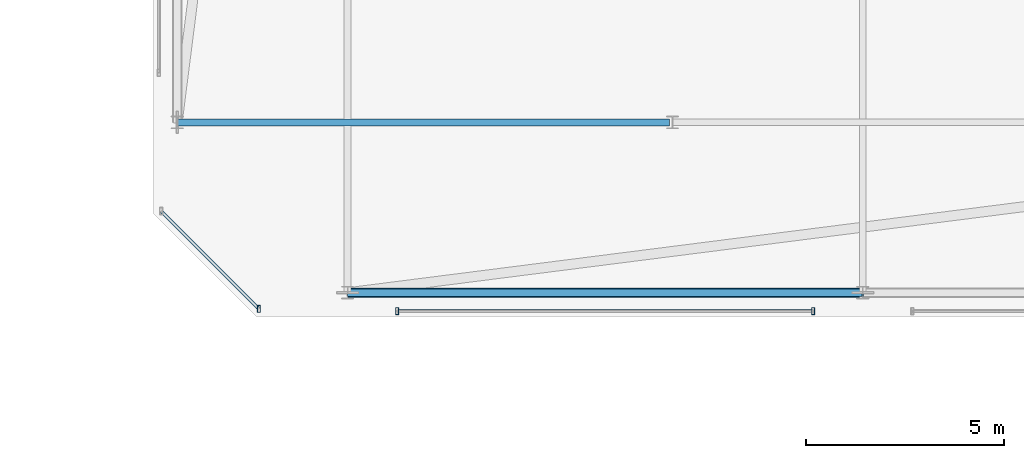
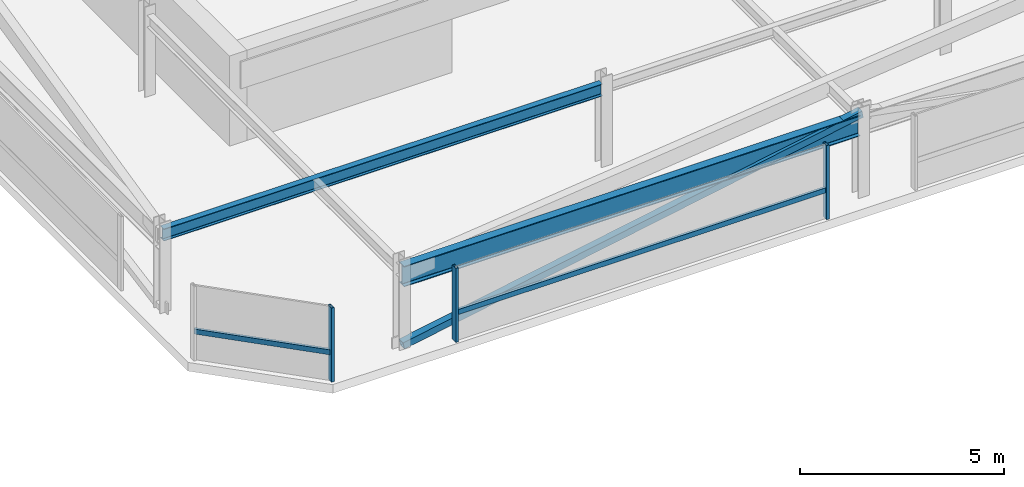
# One storey, part 29 of 44: 6 members, 2 beams, 2 elements without a shape of their own.
"""IFC4 building model written with IfcOpenShell, lengths in metres."""

import ifcopenshell
import ifcopenshell.guid

model = None  # the IFC model being written
_history = None  # IfcOwnerHistory: only IFC2X3 demands one
_inside = {}  # id of a spatial element -> (the spatial element, [elements in it])
_under = {}  # id of a project, library or spatial element -> (it, [spatial elements below it])
_declared = {}  # id of a project -> (the project, [libraries it declares])
_typed = {}  # id of a type object -> (the type object, [elements of that type])
_made_of = {}  # id of a material, layer set ... -> (it, [elements and type objects made of it])


def new_model(schema):
    """Start an empty IFC model of exactly this schema.

    Asked for "IFC4X3", IfcOpenShell would pick the latest addendum, in which some entities
    have other attributes; the version numbers below select the first issue.
    IFC2X3 requires an IfcOwnerHistory on every rooted entity: one is made here for all.
    """
    global model, _history
    if schema == "IFC4X3":
        model = ifcopenshell.file(schema_version=(4, 3, 0, 0))
    else:
        model = ifcopenshell.file(schema=schema)
    _inside.clear()
    _under.clear()
    _declared.clear()
    _typed.clear()
    _made_of.clear()
    _history = None
    if model.schema == "IFC2X3":
        org = make("IfcOrganization", Name="unknown")
        user = make(
            "IfcPersonAndOrganization",
            ThePerson=make("IfcPerson", FamilyName="unknown"),
            TheOrganization=org,
        )
        app = make(
            "IfcApplication",
            ApplicationDeveloper=org,
            Version="unknown",
            ApplicationFullName="unknown",
            ApplicationIdentifier="unknown",
        )
        _history = make(
            "IfcOwnerHistory",
            OwningUser=user,
            OwningApplication=app,
            ChangeAction="ADDED",
            CreationDate=0,
        )
    return model


def make(cls, **values):
    """One entity of the class cls with the attributes given. An attribute that is None is left unset."""
    return model.create_entity(
        cls, **{name: value for name, value in values.items() if value is not None}
    )


def rooted(cls, **values):
    """An entity with a GlobalId (a new one), such as an element, a storey or a relation."""
    return make(cls, GlobalId=ifcopenshell.guid.new(), OwnerHistory=_history, **values)


def si_unit(unit_type, name, prefix=None):
    """IfcSIUnit, for example si_unit("LENGTHUNIT", "METRE", prefix="MILLI")."""
    return make("IfcSIUnit", UnitType=unit_type, Prefix=prefix, Name=name)


def assignment(units):
    """IfcUnitAssignment: the units of a project."""
    return None if units is None else make("IfcUnitAssignment", Units=units)


def point(xyz):
    """IfcCartesianPoint."""
    return None if xyz is None else make("IfcCartesianPoint", Coordinates=xyz)


def direction(xyz):
    """IfcDirection."""
    return None if xyz is None else make("IfcDirection", DirectionRatios=xyz)


def frame(location, z_axis=None, x_axis=None):
    """IfcAxis2Placement3D, a coordinate frame: its origin and axes. An axis left out is left unset."""
    return make(
        "IfcAxis2Placement3D",
        Location=point(location),
        Axis=direction(z_axis),
        RefDirection=direction(x_axis),
    )


def frame_2d(location, x_axis=None):
    """IfcAxis2Placement2D, a coordinate frame in the plane: its origin and x axis."""
    return make(
        "IfcAxis2Placement2D", Location=point(location), RefDirection=direction(x_axis)
    )


def origin():
    """The frame at (0, 0, 0) with its axes left unset."""
    return frame((0.0, 0.0, 0.0))


def origin_2d():
    """The frame at (0, 0) in the plane with its x axis left unset."""
    return frame_2d((0.0, 0.0))


def place(relative_to, where):
    """IfcLocalPlacement: puts the frame where relative to a parent placement (None: the world)."""
    return make(
        "IfcLocalPlacement", PlacementRelTo=relative_to, RelativePlacement=where
    )


def context(
    kind, dimensions, precision=None, world=None, true_north=None, identifier=None
):
    """IfcGeometricRepresentationContext, for example the 3D "Model" context."""
    return make(
        "IfcGeometricRepresentationContext",
        ContextIdentifier=identifier,
        ContextType=kind,
        CoordinateSpaceDimension=dimensions,
        Precision=precision,
        WorldCoordinateSystem=world,
        TrueNorth=true_north,
    )


def subcontext(parent, identifier, kind, view, scale=None):
    """IfcGeometricRepresentationSubContext, for example "Body" below "Model"."""
    return make(
        "IfcGeometricRepresentationSubContext",
        ContextIdentifier=identifier,
        ContextType=kind,
        ParentContext=parent,
        TargetScale=scale,
        TargetView=view,
    )


def project(units=None, contexts=None):
    """IfcProject with its units and contexts."""
    return rooted(
        "IfcProject",
        Name="project",
        RepresentationContexts=contexts,
        UnitsInContext=assignment(units),
    )


def spatial(cls, under=None, at=None, **own):
    """A site, building, storey or space (cls), placed at a placement, below another one or the project."""
    s = rooted(cls, ObjectPlacement=at, **own)
    if under is not None:
        _under.setdefault(under.id(), (under, []))[1].append(s)
    return s


def profile(cls, at=None, kind="AREA", **sizes):
    """A parametric profile (cls). Its sizes go by their IFC names, for example OverallWidth=200.0."""
    return make(cls, ProfileType=kind, Position=at, **sizes)


def hollow_rectangle(**sizes):
    """IfcRectangleHollowProfileDef."""
    return profile("IfcRectangleHollowProfileDef", **sizes)


def i_section(**sizes):
    """IfcIShapeProfileDef."""
    return profile("IfcIShapeProfileDef", **sizes)


def extrude(swept, where, along, depth):
    """IfcExtrudedAreaSolid: the profile swept, set in the frame where, extruded along a direction by depth."""
    return make(
        "IfcExtrudedAreaSolid",
        SweptArea=swept,
        Position=where,
        ExtrudedDirection=direction(along),
        Depth=depth,
    )


def shape(context_of_items, identifier, shape_type, items):
    """IfcShapeRepresentation: the items that make up one representation, for example the "Body"."""
    return make(
        "IfcShapeRepresentation",
        ContextOfItems=context_of_items,
        RepresentationIdentifier=identifier,
        RepresentationType=shape_type,
        Items=items,
    )


def material(Name=None, Category=None):
    """IfcMaterial."""
    return make("IfcMaterial", Name=Name, Category=Category)


def material_profile(
    of_material, cross_section, Name=None, Category=None, Priority=None
):
    """IfcMaterialProfile: a cross section and its material."""
    return make(
        "IfcMaterialProfile",
        Name=Name,
        Material=of_material,
        Profile=cross_section,
        Priority=Priority,
        Category=Category,
    )


def profile_set(profiles, Name=None, composite=None):
    """IfcMaterialProfileSet."""
    return make(
        "IfcMaterialProfileSet",
        Name=Name,
        MaterialProfiles=profiles,
        CompositeProfile=composite,
    )


def made_of(thing, what):
    """Note that an element or type object is made of a material, layer set ...; save() writes the relation."""
    if what is not None:
        _made_of.setdefault(what.id(), (what, []))[1].append(thing)
    return thing


def type_object(cls, material=None, **own):
    """A type object (cls), such as IfcWallType, which elements share."""
    return made_of(rooted(cls, **own), material)


def element(
    cls,
    number,
    at=None,
    inside=None,
    cuts=None,
    type_object=None,
    material=None,
    context=None,
    identifier="Body",
    shape_type=None,
    held_by="IfcProductDefinitionShape",
    body=None,
    shapes=None,
    **own,
):
    """One element of the class cls, such as IfcWall. Its Tag is "e" and its number.

    at: its placement. inside: the storey or other place that contains it. cuts: it is an
    opening in that element (IfcRelVoidsElement). A single representation is given by context,
    identifier, shape_type and body (its items); several are given by shapes. held_by: the class
    of the entity that holds the representations. save() writes the other relations.
    """
    e = rooted(cls, Tag="e%d" % number, ObjectPlacement=at, **own)
    if body is not None:
        shapes = [shape(context, identifier, shape_type, body)]
    if shapes is not None:
        e.Representation = make(held_by, Representations=shapes)
    if inside is not None:
        _inside.setdefault(inside.id(), (inside, []))[1].append(e)
    if cuts is not None:
        rooted(
            "IfcRelVoidsElement", RelatingBuildingElement=cuts, RelatedOpeningElement=e
        )
    if type_object is not None:
        _typed.setdefault(type_object.id(), (type_object, []))[1].append(e)
    return made_of(e, material)


def aggregate(whole, parts):
    """IfcRelAggregates: a whole, such as a stair, and the parts it consists of."""
    return rooted("IfcRelAggregates", RelatingObject=whole, RelatedObjects=parts)


def save(model, path):
    """Write the relations noted so far, then the file.

    IfcRelAggregates (storeys below a building ...), IfcRelContainedInSpatialStructure (elements
    in a storey), IfcRelDefinesByType, IfcRelAssociatesMaterial and IfcRelDeclares: one each for
    every whole, place, type object, material and project.
    """
    for whole, parts in _under.values():
        aggregate(whole, parts)
    for where, things in _inside.values():
        rooted(
            "IfcRelContainedInSpatialStructure",
            RelatedElements=things,
            RelatingStructure=where,
        )
    for kind, things in _typed.values():
        rooted("IfcRelDefinesByType", RelatedObjects=things, RelatingType=kind)
    for what, things in _made_of.values():
        rooted("IfcRelAssociatesMaterial", RelatedObjects=things, RelatingMaterial=what)
    for by, libraries in _declared.values():
        rooted("IfcRelDeclares", RelatingContext=by, RelatedDefinitions=libraries)
    model.write(path)


model = new_model("IFC4")

# Units and contexts
model_context = context("Model", 3, precision=1e-05, world=origin(), true_north=direction((0.0, 1.0)))
body_context = subcontext(model_context, "Body", "Model", "MODEL_VIEW")
ifc_project = project(units=[si_unit("LENGTHUNIT", "METRE"), si_unit("AREAUNIT", "SQUARE_METRE"), si_unit("VOLUMEUNIT", "CUBIC_METRE"), si_unit("PLANEANGLEUNIT", "RADIAN"), si_unit("MASSUNIT", "GRAM", prefix="KILO")], contexts=[model_context])

# Site, building, storey
site_placement = place(None, origin())
site = spatial("IfcSite", under=ifc_project, at=site_placement, CompositionType="ELEMENT")
building_placement = place(site_placement, origin())
building = spatial("IfcBuilding", under=site, at=building_placement, Name="Thornwick Lancets Civic Towers", CompositionType="ELEMENT")
storey_placement = place(building_placement, frame((0.0, 0.0, 292.199951171875)))
storey = spatial("IfcBuildingStorey", under=building, at=storey_placement, Name="C05", CompositionType="ELEMENT", Elevation=292.199951171875)

# Beams
ifc_material_1 = material(Name="Steel S355JR", Category="steel")
ifc_material_profile_1 = material_profile(ifc_material_1, i_section(OverallWidth=0.230224609375, OverallDepth=0.6171875, WebThickness=0.01318359375, FlangeThickness=0.022216796875, FilletRadius=0.0126953125, at=origin_2d()), Name="UKB 610x229x140")
ifc_profile_set_1 = profile_set([ifc_material_profile_1], Name="Steel S355JR")
beam_type_1 = type_object("IfcBeamType", Name="BM_GIRD_610_140", PredefinedType="BEAM", material=ifc_profile_set_1)
beam_1_placement = place(storey_placement, frame((88.419921875, 9.699951171875, 2.13134765625), z_axis=(-1.0, 0.0, 0.0), x_axis=(0.0, -1.0, 0.0)))
element("IfcBeam", 1, at=beam_1_placement, inside=storey, type_object=beam_type_1, Name="BM-SPINE-C05-B-10-11", PredefinedType="BEAM", context=body_context, shape_type="SweptSolid", body=[
    extrude(i_section(OverallWidth=0.230224609375, OverallDepth=0.6171875, WebThickness=0.01318359375, FlangeThickness=0.022216796875, FilletRadius=0.0126953125, at=origin_2d()), origin(), (0.0, 0.0, 1.0), 12.919921875),
])
ifc_material_profile_2 = material_profile(ifc_material_1, i_section(OverallWidth=0.173095703125, OverallDepth=0.36328125, WebThickness=0.009033203125, FlangeThickness=0.015625, FilletRadius=0.01025390625, at=origin_2d()), Name="UKB 356x171x67")
ifc_profile_set_2 = profile_set([ifc_material_profile_2], Name="Steel S355JR")
beam_type_2 = type_object("IfcBeamType", Name="BM_JOIST_356_67", PredefinedType="JOIST", material=ifc_profile_set_2)
beam_2_placement = place(storey_placement, frame((83.6201171875, 14.0, 2.25830078125), z_axis=(-1.0, 0.0, 0.0), x_axis=(0.0, -1.0, 0.0)))
element("IfcBeam", 2, at=beam_2_placement, inside=storey, type_object=beam_type_2, Name="BM-RADIN-C05-B07", PredefinedType="JOIST", context=body_context, shape_type="SweptSolid", body=[
    extrude(i_section(OverallWidth=0.173095703125, OverallDepth=0.36328125, WebThickness=0.009033203125, FlangeThickness=0.015625, FilletRadius=0.01025390625, at=origin_2d()), origin(), (0.0, 0.0, 1.0), 12.420166015625),
])

# Curtain wall, members
ifc_material_2 = material(Name="Crown ring acoustic-louvre and glazing screen wall", Category="glass")
curtain_wall_type = type_object("IfcCurtainWallType", Name="CW_SYS_07", PredefinedType="NOTDEFINED", material=ifc_material_2)
curtain_wall_1_placement = place(storey_placement, origin())
curtain_wall_1 = element("IfcCurtainWall", 3, at=curtain_wall_1_placement, inside=storey, type_object=curtain_wall_type, Name="C05 Curtain Wall CW-C05-B-E0-S1", PredefinedType="NOTDEFINED")
ifc_material_3 = material(Name="Thermally broken bronze aluminium S355", Category="steel")
ifc_material_profile_3 = material_profile(ifc_material_3, hollow_rectangle(XDim=0.074951171875, YDim=0.179931640625, WallThickness=0.006103515625, at=origin_2d()), Name="RHS 180x75x6")
ifc_profile_set_3 = profile_set([ifc_material_profile_3], Name="Thermally broken bronze aluminium S355")
member_type_1 = type_object("IfcMemberType", Name="CW_MUL_180", PredefinedType="MULLION", material=ifc_profile_set_3)
member_1_placement = place(storey_placement, frame((76.75, 9.2353515625, 0.0), z_axis=(0.0, 0.0, 1.0), x_axis=(1.0, 0.0, 0.0)))
member_1 = element("IfcMember", 4, at=member_1_placement, type_object=member_type_1, Name="CW-C05-B-E0-S1 Mullion 0", PredefinedType="MULLION", context=body_context, shape_type="SweptSolid", body=[
    extrude(hollow_rectangle(XDim=0.074951171875, YDim=0.179931640625, WallThickness=0.006103515625, at=origin_2d()), origin(), (0.0, 0.0, 1.0), 2.219970703125),
])
member_2_placement = place(storey_placement, frame((87.25, 9.2353515625, 0.0), z_axis=(0.0, 0.0, 1.0), x_axis=(1.0, 0.0, 0.0)))
member_2 = element("IfcMember", 5, at=member_2_placement, type_object=member_type_1, Name="CW-C05-B-E0-S1 Mullion 1", PredefinedType="MULLION", context=body_context, shape_type="SweptSolid", body=[
    extrude(hollow_rectangle(XDim=0.074951171875, YDim=0.179931640625, WallThickness=0.006103515625, at=origin_2d()), origin(), (0.0, 0.0, 1.0), 2.219970703125),
])

# Curtain wall, member
curtain_wall_2_placement = place(storey_placement, origin())
curtain_wall_2 = element("IfcCurtainWall", 6, at=curtain_wall_2_placement, inside=storey, type_object=curtain_wall_type, Name="C05 Curtain Wall CW-C05-B-E7", PredefinedType="NOTDEFINED")
member_3_placement = place(storey_placement, frame((73.261962890625, 9.2919921875, 0.0), z_axis=(0.0, 0.0, 1.0), x_axis=(1.0, 0.0, 0.0)))
member_3 = element("IfcMember", 7, at=member_3_placement, type_object=member_type_1, Name="CW-C05-B-E7 Mullion 1", PredefinedType="MULLION", context=body_context, shape_type="SweptSolid", body=[
    extrude(hollow_rectangle(XDim=0.074951171875, YDim=0.179931640625, WallThickness=0.006103515625, at=origin_2d()), origin(), (0.0, 0.0, 1.0), 2.219970703125),
])

# Member
ifc_material_profile_4 = material_profile(ifc_material_3, hollow_rectangle(XDim=0.074951171875, YDim=0.14990234375, WallThickness=0.0048828125, at=origin_2d()), Name="RHS 150x75x5")
ifc_profile_set_4 = profile_set([ifc_material_profile_4], Name="Thermally broken bronze aluminium S355")
member_type_2 = type_object("IfcMemberType", Name="CW_TRN_150", PredefinedType="USERDEFINED", material=ifc_profile_set_4)
member_4_placement = place(storey_placement, frame((76.77001953125, 9.2353515625, 0.85009765625), z_axis=(1.0, 0.0, 0.0), x_axis=(0.0, 1.0, 0.0)))
member_4 = element("IfcMember", 8, at=member_4_placement, type_object=member_type_2, Name="CW-C05-B-E0-S1 Transom 0", ObjectType="TRANSOM", PredefinedType="USERDEFINED", context=body_context, shape_type="SweptSolid", body=[
    extrude(hollow_rectangle(XDim=0.074951171875, YDim=0.14990234375, WallThickness=0.0048828125, at=origin_2d()), origin(), (0.0, 0.0, 1.0), 10.4599609375),
])

aggregate(curtain_wall_1, [member_1, member_2, member_4])

member_5_placement = place(storey_placement, frame((70.80615234375, 11.747802734375, 0.85009765625), z_axis=(0.707106781187, -0.707106781187, 0.0), x_axis=(0.707106781187, 0.707106781187, 0.0)))
member_5 = element("IfcMember", 9, at=member_5_placement, type_object=member_type_2, Name="CW-C05-B-E7 Transom 0", ObjectType="TRANSOM", PredefinedType="USERDEFINED", context=body_context, shape_type="SweptSolid", body=[
    extrude(hollow_rectangle(XDim=0.074951171875, YDim=0.14990234375, WallThickness=0.0048828125, at=origin_2d()), origin(), (0.0, 0.0, 1.0), 3.453125),
])

aggregate(curtain_wall_2, [member_3, member_5])

ifc_material_profile_5 = material_profile(ifc_material_1, hollow_rectangle(XDim=0.199951171875, YDim=0.199951171875, WallThickness=0.012451171875, at=origin_2d()), Name="SHS 200x200x12.5")
ifc_profile_set_5 = profile_set([ifc_material_profile_5], Name="Steel S355JR")
member_type_3 = type_object("IfcMemberType", Name="MEM_CROWN_SHS200", PredefinedType="BRACE", material=ifc_profile_set_5)
member_6_placement = place(storey_placement, frame((75.5, 9.699951171875, 0.050048828125), z_axis=(0.98351842104, 0.0, 0.180807951915), x_axis=(0.0, 1.0, 0.0)))
element("IfcMember", 10, at=member_6_placement, inside=storey, type_object=member_type_3, Name="C05 Crown Ring Lancet Rib B-S3-R", PredefinedType="BRACE", context=body_context, shape_type="SweptSolid", body=[
    extrude(hollow_rectangle(XDim=0.199951171875, YDim=0.199951171875, WallThickness=0.012451171875, at=origin_2d()), origin(), (0.0, 0.0, 1.0), 13.2177734375),
])

save(model, "model.ifc")
